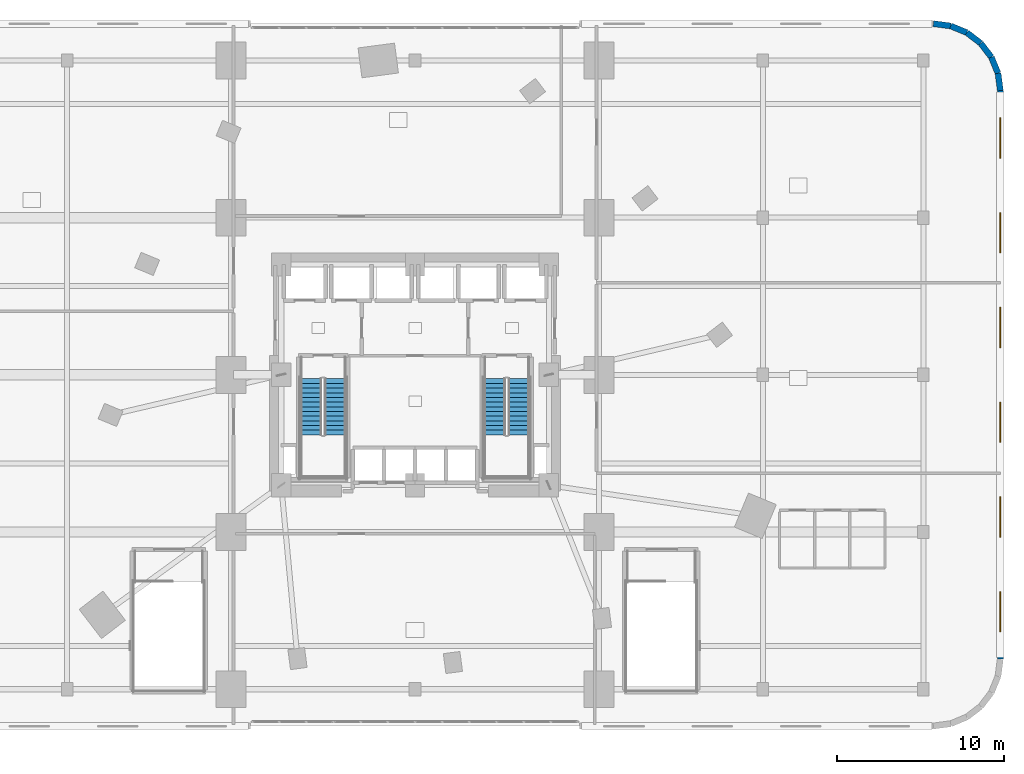
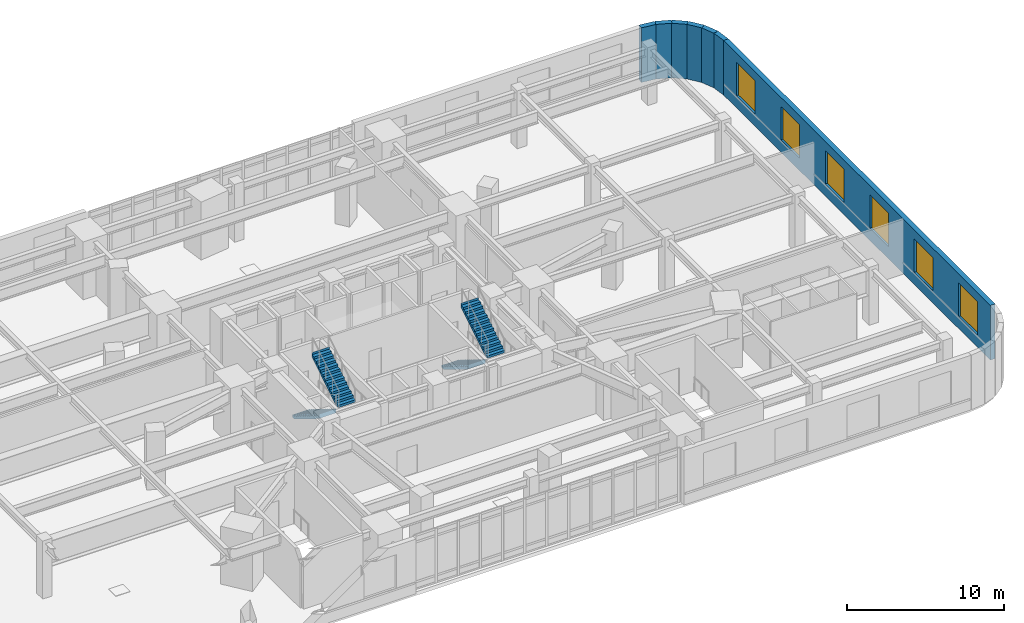
# One storey, part 17 of 20: 7 walls, 6 windows, 4 stair flights, 6 openings, 2 elements without a shape of their own.
"""IFC4 building model written with IfcOpenShell, lengths in metres."""

from ifc_helpers import new_model, si_unit, direction, frame, frame_2d, origin, place, context, subcontext, project, spatial, polyline, rectangle, outline, extrude, material, layer, layer_set, type_object, element, fill, aggregate, save


model = new_model("IFC4")

# Units and contexts
model_context = context("Model", 3, precision=1e-05, world=origin(), true_north=direction((0.0, 1.0)))
body_context = subcontext(model_context, "Body", "Model", "MODEL_VIEW")
ifc_project = project(units=[si_unit("LENGTHUNIT", "METRE"), si_unit("AREAUNIT", "SQUARE_METRE"), si_unit("VOLUMEUNIT", "CUBIC_METRE"), si_unit("PLANEANGLEUNIT", "RADIAN"), si_unit("MASSUNIT", "GRAM", prefix="KILO")], contexts=[model_context])

# Site, building, storey
site_placement = place(None, origin())
site = spatial("IfcSite", under=ifc_project, at=site_placement, CompositionType="ELEMENT")
building_placement = place(site_placement, origin())
building = spatial("IfcBuilding", under=site, at=building_placement, Name="Ndelora Gate Hotel", CompositionType="ELEMENT")
storey_placement = place(building_placement, frame((0.0, 0.0, 26.0)))
storey = spatial("IfcBuildingStorey", under=building, at=storey_placement, Name="L05", CompositionType="ELEMENT", Elevation=26.0)

# Wall, openings, windows
ifc_material_1 = material(Name="Clay Brick Masonry", Category="masonry")
ifc_layer = layer(ifc_material_1, 0.360107421875)
ifc_layer_set = layer_set([ifc_layer], Name="Clay Brick Masonry")
wall_type = type_object("IfcWallType", Name="WL-BRICK-360", PredefinedType="SOLIDWALL", material=ifc_layer_set)
wall_1_placement = place(storey_placement, frame((35.0, 17.0, 0.0), z_axis=(0.0, 0.0, 1.0), x_axis=(0.0, -1.0, 0.0)))
wall_1 = element("IfcWall", 1, at=wall_1_placement, inside=storey, type_object=wall_type, Name="L05 Exterior Brick Pier-and-Spandrel Wall 7", PredefinedType="SOLIDWALL", context=body_context, shape_type="SweptSolid", body=[
    extrude(rectangle(XDim=34.0, YDim=0.360107421875, at=frame_2d((17.0, 0.0))), origin(), (0.0, 0.0, 1.0), 4.25),
])
opening_1_placement = place(wall_1_placement, frame((1.63330078125, 0.0, 0.949951171875)))
opening_1 = element("IfcOpeningElement", 2, at=opening_1_placement, cuts=wall_1, Name="Opening W04", PredefinedType="OPENING", context=body_context, shape_type="SweptSolid", body=[
    extrude(rectangle(XDim=2.39990234375, YDim=2.60009765625, at=frame_2d((1.199951171875, 1.300048828125))), frame((0.0, 0.18994140625, 0.0), z_axis=(0.0, -1.0, 0.0), x_axis=(1.0, 0.0, 0.0)), (0.0, 0.0, 1.0), 0.380126953125),
])
opening_2_placement = place(wall_1_placement, frame((7.300048828125, 0.0, 0.949951171875)))
opening_2 = element("IfcOpeningElement", 3, at=opening_2_placement, cuts=wall_1, Name="Opening W04", PredefinedType="OPENING", context=body_context, shape_type="SweptSolid", body=[
    extrude(rectangle(XDim=2.39990234375, YDim=2.60009765625, at=frame_2d((1.199951171875, 1.300048828125))), frame((0.0, 0.18994140625, 0.0), z_axis=(0.0, -1.0, 0.0), x_axis=(1.0, 0.0, 0.0)), (0.0, 0.0, 1.0), 0.380126953125),
])
opening_3_placement = place(wall_1_placement, frame((12.966796875, 0.0, 0.949951171875)))
opening_3 = element("IfcOpeningElement", 4, at=opening_3_placement, cuts=wall_1, Name="Opening W04", PredefinedType="OPENING", context=body_context, shape_type="SweptSolid", body=[
    extrude(rectangle(XDim=2.39990234375, YDim=2.60009765625, at=frame_2d((1.199951171875, 1.300048828125))), frame((0.0, 0.18994140625, 0.0), z_axis=(0.0, -1.0, 0.0), x_axis=(1.0, 0.0, 0.0)), (0.0, 0.0, 1.0), 0.380126953125),
])
opening_4_placement = place(wall_1_placement, frame((18.63330078125, 0.0, 0.949951171875)))
opening_4 = element("IfcOpeningElement", 5, at=opening_4_placement, cuts=wall_1, Name="Opening W04", PredefinedType="OPENING", context=body_context, shape_type="SweptSolid", body=[
    extrude(rectangle(XDim=2.39990234375, YDim=2.60009765625, at=frame_2d((1.199951171875, 1.300048828125))), frame((0.0, 0.18994140625, 0.0), z_axis=(0.0, -1.0, 0.0), x_axis=(1.0, 0.0, 0.0)), (0.0, 0.0, 1.0), 0.380126953125),
])
opening_5_placement = place(wall_1_placement, frame((24.300048828125, 0.0, 0.949951171875)))
opening_5 = element("IfcOpeningElement", 6, at=opening_5_placement, cuts=wall_1, Name="Opening W04", PredefinedType="OPENING", context=body_context, shape_type="SweptSolid", body=[
    extrude(rectangle(XDim=2.39990234375, YDim=2.60009765625, at=frame_2d((1.199951171875, 1.300048828125))), frame((0.0, 0.18994140625, 0.0), z_axis=(0.0, -1.0, 0.0), x_axis=(1.0, 0.0, 0.0)), (0.0, 0.0, 1.0), 0.380126953125),
])
opening_6_placement = place(wall_1_placement, frame((29.966796875, 0.0, 0.949951171875)))
opening_6 = element("IfcOpeningElement", 7, at=opening_6_placement, cuts=wall_1, Name="Opening W04", PredefinedType="OPENING", context=body_context, shape_type="SweptSolid", body=[
    extrude(rectangle(XDim=2.39990234375, YDim=2.60009765625, at=frame_2d((1.199951171875, 1.300048828125))), frame((0.0, 0.18994140625, 0.0), z_axis=(0.0, -1.0, 0.0), x_axis=(1.0, 0.0, 0.0)), (0.0, 0.0, 1.0), 0.380126953125),
])
ifc_material_2 = material(Name="Insulated Low-E Double Glazing in Bronze Aluminium Frame", Category="aluminium")
window_type = type_object("IfcWindowType", Name="WN-POD-2400", PartitioningType="SINGLE_PANEL", PredefinedType="WINDOW", material=ifc_material_2)
window_1_placement = place(opening_1_placement, origin())
window_1 = element("IfcWindow", 8, at=window_1_placement, inside=storey, type_object=window_type, Name="L05 Deep-Set Podium Brick-Frame Window W04", OverallHeight=2.60009765625, OverallWidth=2.39990234375, PartitioningType="SINGLE_PANEL", PredefinedType="WINDOW", context=body_context, shape_type="SweptSolid", body=[
    extrude(rectangle(XDim=2.39990234375, YDim=2.60009765625, at=frame_2d((1.199951171875, 1.300048828125))), frame((0.0, 0.030029296875, 0.0), z_axis=(0.0, -1.0, 0.0), x_axis=(1.0, 0.0, 0.0)), (0.0, 0.0, 1.0), 0.06005859375),
])
fill(opening_1, window_1)
window_2_placement = place(opening_2_placement, origin())
window_2 = element("IfcWindow", 9, at=window_2_placement, inside=storey, type_object=window_type, Name="L05 Deep-Set Podium Brick-Frame Window W04", OverallHeight=2.60009765625, OverallWidth=2.39990234375, PartitioningType="SINGLE_PANEL", PredefinedType="WINDOW", context=body_context, shape_type="SweptSolid", body=[
    extrude(rectangle(XDim=2.39990234375, YDim=2.60009765625, at=frame_2d((1.199951171875, 1.300048828125))), frame((0.0, 0.030029296875, 0.0), z_axis=(0.0, -1.0, 0.0), x_axis=(1.0, 0.0, 0.0)), (0.0, 0.0, 1.0), 0.06005859375),
])
fill(opening_2, window_2)
window_3_placement = place(opening_3_placement, origin())
window_3 = element("IfcWindow", 10, at=window_3_placement, inside=storey, type_object=window_type, Name="L05 Deep-Set Podium Brick-Frame Window W04", OverallHeight=2.60009765625, OverallWidth=2.39990234375, PartitioningType="SINGLE_PANEL", PredefinedType="WINDOW", context=body_context, shape_type="SweptSolid", body=[
    extrude(rectangle(XDim=2.39990234375, YDim=2.60009765625, at=frame_2d((1.199951171875, 1.300048828125))), frame((0.0, 0.030029296875, 0.0), z_axis=(0.0, -1.0, 0.0), x_axis=(1.0, 0.0, 0.0)), (0.0, 0.0, 1.0), 0.06005859375),
])
fill(opening_3, window_3)
window_4_placement = place(opening_4_placement, origin())
window_4 = element("IfcWindow", 11, at=window_4_placement, inside=storey, type_object=window_type, Name="L05 Deep-Set Podium Brick-Frame Window W04", OverallHeight=2.60009765625, OverallWidth=2.39990234375, PartitioningType="SINGLE_PANEL", PredefinedType="WINDOW", context=body_context, shape_type="SweptSolid", body=[
    extrude(rectangle(XDim=2.39990234375, YDim=2.60009765625, at=frame_2d((1.199951171875, 1.300048828125))), frame((0.0, 0.030029296875, 0.0), z_axis=(0.0, -1.0, 0.0), x_axis=(1.0, 0.0, 0.0)), (0.0, 0.0, 1.0), 0.06005859375),
])
fill(opening_4, window_4)
window_5_placement = place(opening_5_placement, origin())
window_5 = element("IfcWindow", 12, at=window_5_placement, inside=storey, type_object=window_type, Name="L05 Deep-Set Podium Brick-Frame Window W04", OverallHeight=2.60009765625, OverallWidth=2.39990234375, PartitioningType="SINGLE_PANEL", PredefinedType="WINDOW", context=body_context, shape_type="SweptSolid", body=[
    extrude(rectangle(XDim=2.39990234375, YDim=2.60009765625, at=frame_2d((1.199951171875, 1.300048828125))), frame((0.0, 0.030029296875, 0.0), z_axis=(0.0, -1.0, 0.0), x_axis=(1.0, 0.0, 0.0)), (0.0, 0.0, 1.0), 0.06005859375),
])
fill(opening_5, window_5)
window_6_placement = place(opening_6_placement, origin())
window_6 = element("IfcWindow", 13, at=window_6_placement, inside=storey, type_object=window_type, Name="L05 Deep-Set Podium Brick-Frame Window W04", OverallHeight=2.60009765625, OverallWidth=2.39990234375, PartitioningType="SINGLE_PANEL", PredefinedType="WINDOW", context=body_context, shape_type="SweptSolid", body=[
    extrude(rectangle(XDim=2.39990234375, YDim=2.60009765625, at=frame_2d((1.199951171875, 1.300048828125))), frame((0.0, 0.030029296875, 0.0), z_axis=(0.0, -1.0, 0.0), x_axis=(1.0, 0.0, 0.0)), (0.0, 0.0, 1.0), 0.06005859375),
])
fill(opening_6, window_6)

# Walls
wall_2_placement = place(storey_placement, frame((34.86376953125, 18.035400390625, 0.0), z_axis=(0.0, 0.0, 1.0), x_axis=(0.130448465198, -0.991455091231, 0.0)))
element("IfcWall", 14, at=wall_2_placement, inside=storey, type_object=wall_type, Name="L05 Exterior Brick Pier-and-Spandrel Wall 8", PredefinedType="SOLIDWALL", context=body_context, shape_type="SweptSolid", body=[
    extrude(rectangle(XDim=1.04443359375, YDim=0.360107421875, at=frame_2d((0.522216796875, 0.0))), origin(), (0.0, 0.0, 1.0), 4.25),
])
for number, where, z_axis, x_axis, name in (
    (15, (34.464111328125, 19.0, 0.0), (0.0, 0.0, 1.0), (0.382771688877, -0.923842970528, 0.0), "L05 Exterior Brick Pier-and-Spandrel Wall 9"),
    (16, (33.828369140625, 19.828369140625, 0.0), (0.0, 0.0, 1.0), (0.608829050876, -0.793301447628, 0.0), "L05 Exterior Brick Pier-and-Spandrel Wall 10"),
    (17, (33.0, 20.464111328125, 0.0), (0.0, 0.0, 1.0), (0.793301447628, -0.608829050876, 0.0), "L05 Exterior Brick Pier-and-Spandrel Wall 11"),
    (18, (32.035400390625, 20.86376953125, 0.0), (0.0, 0.0, 1.0), (0.923842970528, -0.382771688877, 0.0), "L05 Exterior Brick Pier-and-Spandrel Wall 12"),
):
    element("IfcWall", number, at=place(storey_placement, frame(where, z_axis=z_axis, x_axis=x_axis)), inside=storey, type_object=wall_type, Name=name, PredefinedType="SOLIDWALL", context=body_context, shape_type="SweptSolid", body=[
        extrude(rectangle(XDim=1.044189453125, YDim=0.360107421875, at=frame_2d((0.52197265625, 0.0))), origin(), (0.0, 0.0, 1.0), 4.25),
    ])
wall_3_placement = place(storey_placement, frame((31.0, 21.0, 0.0), z_axis=(0.0, 0.0, 1.0), x_axis=(0.991455091231, -0.130448465198, 0.0)))
element("IfcWall", 19, at=wall_3_placement, inside=storey, type_object=wall_type, Name="L05 Exterior Brick Pier-and-Spandrel Wall 13", PredefinedType="SOLIDWALL", context=body_context, shape_type="SweptSolid", body=[
    extrude(rectangle(XDim=1.04443359375, YDim=0.360107421875, at=frame_2d((0.522216796875, 0.0))), origin(), (0.0, 0.0, 1.0), 4.25),
])

# Stair, stair flights
ifc_material_3 = material(Name="Precast concrete C40/50", Category="concrete")
stair_type = type_object("IfcStairType", Name="STR-DOG-CORE", PredefinedType="HALF_TURN_STAIR", material=ifc_material_3)
stair_1_placement = place(storey_placement, origin())
stair_1 = element("IfcStair", 20, at=stair_1_placement, inside=storey, type_object=stair_type, Name="L05 Protected Core Exit Stair ST4", PredefinedType="HALF_TURN_STAIR")
stair_flight_type = type_object("IfcStairFlightType", Name="STF-PRECAST", PredefinedType="STRAIGHT", material=ifc_material_3)
stair_flight_1_placement = place(storey_placement, frame((-6.2099609375, -0.22998046875, 0.0), z_axis=(0.0, 0.0, 1.0), x_axis=(0.0, -1.0, 0.0)))
stair_flight_1 = element("IfcStairFlight", 21, at=stair_flight_1_placement, type_object=stair_flight_type, Name="ST4 flight 1", NumberOfRisers=13, NumberOfTreads=12, PredefinedType="STRAIGHT", RiserHeight=0.173076923, TreadLength=0.28, context=body_context, shape_type="SweptSolid", body=[
    extrude(outline(polyline([(-0.00048828125, 0.0), (-0.00048828125, 0.173095703125), (0.0, 0.173095703125), (0.280029296875, 0.173095703125), (0.280029296875, 0.34619140625), (0.56005859375, 0.34619140625), (0.56005859375, 0.519287109375), (0.840087890625, 0.519287109375), (0.840087890625, 0.6923828125), (1.1201171875, 0.6923828125), (1.1201171875, 0.865478515625), (1.39990234375, 0.865478515625), (1.39990234375, 1.03857421875), (1.679931640625, 1.03857421875), (1.679931640625, 1.21142578125), (1.9599609375, 1.21142578125), (1.9599609375, 1.384521484375), (2.239990234375, 1.384521484375), (2.239990234375, 1.5576171875), (2.52001953125, 1.5576171875), (2.52001953125, 1.730712890625), (2.800048828125, 1.730712890625), (2.800048828125, 1.90380859375), (3.080078125, 1.90380859375), (3.080078125, 2.076904296875), (3.360107421875, 2.076904296875), (3.360107421875, 2.25), (3.360595703125, 2.25), (3.360595703125, 2.070068359375), (3.360107421875, 1.900634765625), (0.28515625, 0.0), (-0.00048828125, 0.0)])), frame((0.0, 0.64013671875, 0.0), z_axis=(0.0, -1.0, 0.0), x_axis=(1.0, 0.0, 0.0)), (0.0, 0.0, 1.0), 1.280029296875),
])
stair_flight_2_placement = place(storey_placement, frame((-4.77001953125, -3.590087890625, 2.25), z_axis=(0.0, 0.0, 1.0), x_axis=(0.0, 1.0, 0.0)))
stair_flight_2 = element("IfcStairFlight", 22, at=stair_flight_2_placement, type_object=stair_flight_type, Name="ST4 flight 2", NumberOfRisers=13, NumberOfTreads=12, PredefinedType="STRAIGHT", RiserHeight=0.173076923, TreadLength=0.28, context=body_context, shape_type="SweptSolid", body=[
    extrude(outline(polyline([(-0.00048828125, 0.0), (-0.00048828125, 0.173095703125), (0.0, 0.173095703125), (0.280029296875, 0.173095703125), (0.280029296875, 0.34619140625), (0.56005859375, 0.34619140625), (0.56005859375, 0.519287109375), (0.840087890625, 0.519287109375), (0.840087890625, 0.6923828125), (1.1201171875, 0.6923828125), (1.1201171875, 0.865478515625), (1.39990234375, 0.865478515625), (1.39990234375, 1.03857421875), (1.679931640625, 1.03857421875), (1.679931640625, 1.21142578125), (1.9599609375, 1.21142578125), (1.9599609375, 1.384521484375), (2.239990234375, 1.384521484375), (2.239990234375, 1.5576171875), (2.52001953125, 1.5576171875), (2.52001953125, 1.730712890625), (2.800048828125, 1.730712890625), (2.800048828125, 1.90380859375), (3.080078125, 1.90380859375), (3.080078125, 2.076904296875), (3.360107421875, 2.076904296875), (3.360107421875, 2.25), (3.360595703125, 2.25), (3.360595703125, 2.070068359375), (3.360107421875, 1.900634765625), (0.28515625, 0.0), (-0.00048828125, 0.0)])), frame((0.0, 0.64013671875, 0.0), z_axis=(0.0, -1.0, 0.0), x_axis=(1.0, 0.0, 0.0)), (0.0, 0.0, 1.0), 1.280029296875),
])
aggregate(stair_1, [stair_flight_1, stair_flight_2])

stair_2_placement = place(storey_placement, origin())
stair_2 = element("IfcStair", 23, at=stair_2_placement, inside=storey, type_object=stair_type, Name="L05 Protected Core Exit Stair ST5", PredefinedType="HALF_TURN_STAIR")
stair_flight_3_placement = place(storey_placement, frame((4.77001953125, -0.22998046875, 0.0), z_axis=(0.0, 0.0, 1.0), x_axis=(0.0, -1.0, 0.0)))
stair_flight_3 = element("IfcStairFlight", 24, at=stair_flight_3_placement, type_object=stair_flight_type, Name="ST5 flight 1", NumberOfRisers=13, NumberOfTreads=12, PredefinedType="STRAIGHT", RiserHeight=0.173076923, TreadLength=0.28, context=body_context, shape_type="SweptSolid", body=[
    extrude(outline(polyline([(-0.00048828125, 0.0), (-0.00048828125, 0.173095703125), (0.0, 0.173095703125), (0.280029296875, 0.173095703125), (0.280029296875, 0.34619140625), (0.56005859375, 0.34619140625), (0.56005859375, 0.519287109375), (0.840087890625, 0.519287109375), (0.840087890625, 0.6923828125), (1.1201171875, 0.6923828125), (1.1201171875, 0.865478515625), (1.39990234375, 0.865478515625), (1.39990234375, 1.03857421875), (1.679931640625, 1.03857421875), (1.679931640625, 1.21142578125), (1.9599609375, 1.21142578125), (1.9599609375, 1.384521484375), (2.239990234375, 1.384521484375), (2.239990234375, 1.5576171875), (2.52001953125, 1.5576171875), (2.52001953125, 1.730712890625), (2.800048828125, 1.730712890625), (2.800048828125, 1.90380859375), (3.080078125, 1.90380859375), (3.080078125, 2.076904296875), (3.360107421875, 2.076904296875), (3.360107421875, 2.25), (3.360595703125, 2.25), (3.360595703125, 2.070068359375), (3.360107421875, 1.900634765625), (0.28515625, 0.0), (-0.00048828125, 0.0)])), frame((0.0, 0.64013671875, 0.0), z_axis=(0.0, -1.0, 0.0), x_axis=(1.0, 0.0, 0.0)), (0.0, 0.0, 1.0), 1.280029296875),
])
stair_flight_4_placement = place(storey_placement, frame((6.2099609375, -3.590087890625, 2.25), z_axis=(0.0, 0.0, 1.0), x_axis=(0.0, 1.0, 0.0)))
stair_flight_4 = element("IfcStairFlight", 25, at=stair_flight_4_placement, type_object=stair_flight_type, Name="ST5 flight 2", NumberOfRisers=13, NumberOfTreads=12, PredefinedType="STRAIGHT", RiserHeight=0.173076923, TreadLength=0.28, context=body_context, shape_type="SweptSolid", body=[
    extrude(outline(polyline([(-0.00048828125, 0.0), (-0.00048828125, 0.173095703125), (0.0, 0.173095703125), (0.280029296875, 0.173095703125), (0.280029296875, 0.34619140625), (0.56005859375, 0.34619140625), (0.56005859375, 0.519287109375), (0.840087890625, 0.519287109375), (0.840087890625, 0.6923828125), (1.1201171875, 0.6923828125), (1.1201171875, 0.865478515625), (1.39990234375, 0.865478515625), (1.39990234375, 1.03857421875), (1.679931640625, 1.03857421875), (1.679931640625, 1.21142578125), (1.9599609375, 1.21142578125), (1.9599609375, 1.384521484375), (2.239990234375, 1.384521484375), (2.239990234375, 1.5576171875), (2.52001953125, 1.5576171875), (2.52001953125, 1.730712890625), (2.800048828125, 1.730712890625), (2.800048828125, 1.90380859375), (3.080078125, 1.90380859375), (3.080078125, 2.076904296875), (3.360107421875, 2.076904296875), (3.360107421875, 2.25), (3.360595703125, 2.25), (3.360595703125, 2.070068359375), (3.360107421875, 1.900634765625), (0.28515625, 0.0), (-0.00048828125, 0.0)])), frame((0.0, 0.64013671875, 0.0), z_axis=(0.0, -1.0, 0.0), x_axis=(1.0, 0.0, 0.0)), (0.0, 0.0, 1.0), 1.280029296875),
])
aggregate(stair_2, [stair_flight_3, stair_flight_4])

save(model, "model.ifc")
